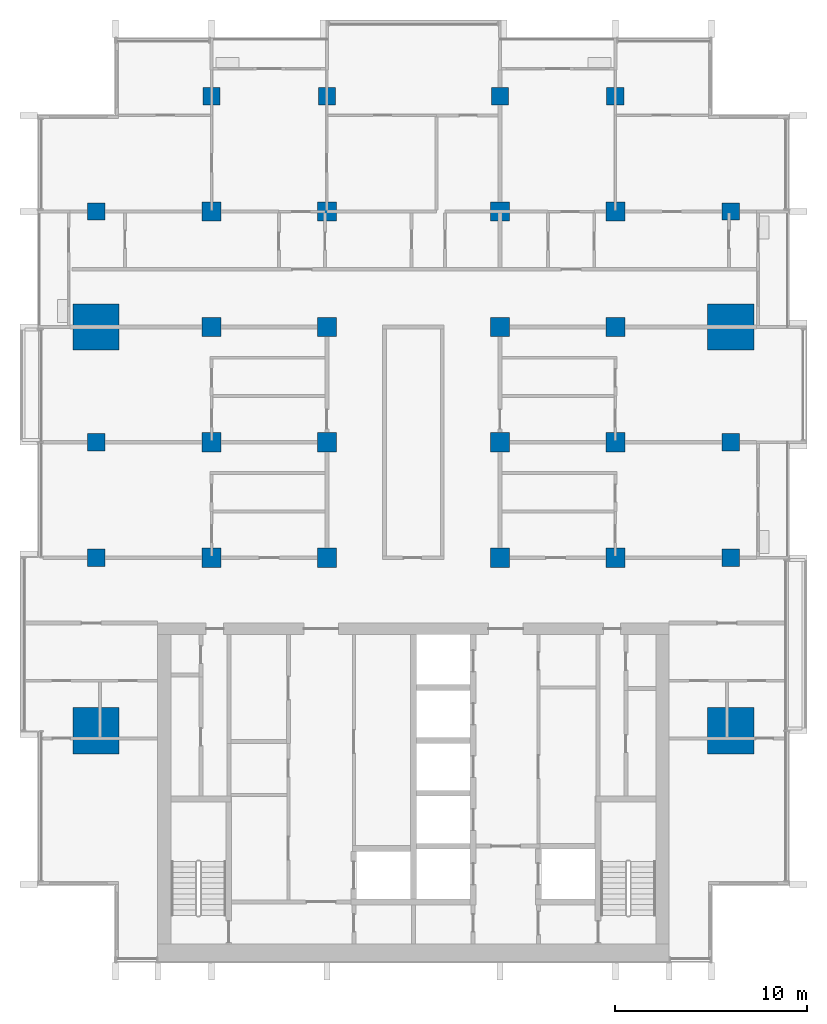
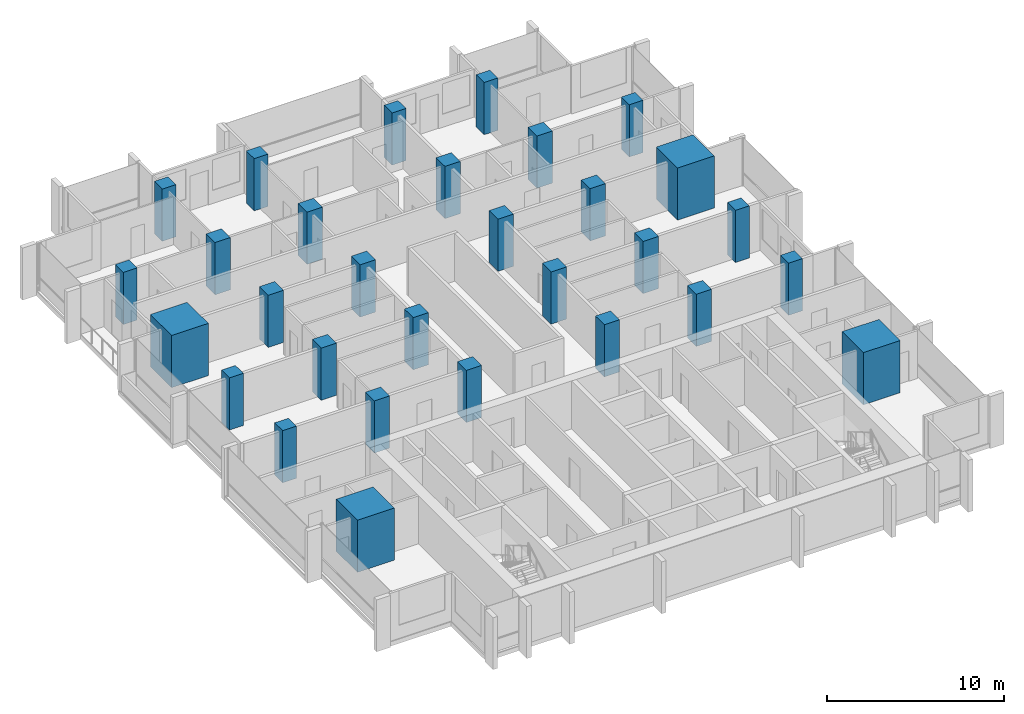
# One storey, part 1 of 17: 30 columns.
"""IFC4 building model written with IfcOpenShell, lengths in metres."""

from ifc_helpers import new_model, si_unit, direction, frame, origin, origin_2d, place, context, subcontext, project, spatial, rectangle, extrude, material, material_profile, profile_set, type_object, element, save


model = new_model("IFC4")

# Units and contexts
model_context = context("Model", 3, precision=1e-05, world=origin(), true_north=direction((0.0, 1.0)))
body_context = subcontext(model_context, "Body", "Model", "MODEL_VIEW")
ifc_project = project(units=[si_unit("LENGTHUNIT", "METRE"), si_unit("AREAUNIT", "SQUARE_METRE"), si_unit("VOLUMEUNIT", "CUBIC_METRE"), si_unit("PLANEANGLEUNIT", "RADIAN"), si_unit("MASSUNIT", "GRAM", prefix="KILO")], contexts=[model_context])

# Site, building, storey
site_placement = place(None, origin())
site = spatial("IfcSite", under=ifc_project, at=site_placement, CompositionType="ELEMENT")
building_placement = place(site_placement, origin())
building = spatial("IfcBuilding", under=site, at=building_placement, Name="Finial Court Residences", CompositionType="ELEMENT")
storey_placement = place(building_placement, frame((0.0, 0.0, 181.699951171875)))
storey = spatial("IfcBuildingStorey", under=building, at=storey_placement, Name="L45", CompositionType="ELEMENT", Elevation=181.699951171875)

# Columns
ifc_material = material(Name="Concrete C60/75", Category="concrete")
ifc_material_profile_1 = material_profile(ifc_material, rectangle(XDim=1.0, YDim=1.0, at=origin_2d()), Name="1000x1000")
ifc_profile_set_1 = profile_set([ifc_material_profile_1], Name="Concrete C60/75")
column_type_1 = type_object("IfcColumnType", Name="Interior column 1000x1000 Concrete C60/75", PredefinedType="COLUMN", material=ifc_profile_set_1)
for number, where, z_axis, x_axis, name in (
    (1, (-10.5, -4.5, 0.0), (0.0, 0.0, 1.0), (1.0, 0.0, 0.0), "S:COL:L45:D4"),
    (2, (-10.5, 1.5, 0.0), (0.0, 0.0, 1.0), (1.0, 0.0, 0.0), "S:COL:L45:D5"),
    (3, (-10.5, 7.5, 0.0), (0.0, 0.0, 1.0), (1.0, 0.0, 0.0), "S:COL:L45:D6"),
    (4, (-10.5, 13.5, 0.0), (0.0, 0.0, 1.0), (1.0, 0.0, 0.0), "S:COL:L45:D7"),
    (5, (-4.5, -4.5, 0.0), (0.0, 0.0, 1.0), (1.0, 0.0, 0.0), "S:COL:L45:E4"),
    (6, (-4.5, 1.5, 0.0), (0.0, 0.0, 1.0), (1.0, 0.0, 0.0), "S:COL:L45:E5"),
    (7, (-4.5, 7.5, 0.0), (0.0, 0.0, 1.0), (1.0, 0.0, 0.0), "S:COL:L45:E6"),
    (8, (-4.5, 13.5, 0.0), (0.0, 0.0, 1.0), (1.0, 0.0, 0.0), "S:COL:L45:E7"),
    (9, (4.5, -4.5, 0.0), (0.0, 0.0, 1.0), (1.0, 0.0, 0.0), "S:COL:L45:F4"),
    (10, (4.5, 1.5, 0.0), (0.0, 0.0, 1.0), (1.0, 0.0, 0.0), "S:COL:L45:F5"),
    (11, (4.5, 7.5, 0.0), (0.0, 0.0, 1.0), (1.0, 0.0, 0.0), "S:COL:L45:F6"),
    (12, (4.5, 13.5, 0.0), (0.0, 0.0, 1.0), (1.0, 0.0, 0.0), "S:COL:L45:F7"),
    (13, (10.5, -4.5, 0.0), (0.0, 0.0, 1.0), (1.0, 0.0, 0.0), "S:COL:L45:G4"),
    (14, (10.5, 1.5, 0.0), (0.0, 0.0, 1.0), (1.0, 0.0, 0.0), "S:COL:L45:G5"),
    (15, (10.5, 7.5, 0.0), (0.0, 0.0, 1.0), (1.0, 0.0, 0.0), "S:COL:L45:G6"),
    (16, (10.5, 13.5, 0.0), (0.0, 0.0, 1.0), (1.0, 0.0, 0.0), "S:COL:L45:G7"),
):
    element("IfcColumn", number, at=place(storey_placement, frame(where, z_axis=z_axis, x_axis=x_axis)), inside=storey, type_object=column_type_1, Name=name, PredefinedType="COLUMN", context=body_context, shape_type="SweptSolid", body=[
        extrude(rectangle(XDim=1.0, YDim=1.0, at=origin_2d()), origin(), (0.0, 0.0, 1.0), 3.60009765625),
    ])
ifc_material_profile_2 = material_profile(ifc_material, rectangle(XDim=2.39990234375, YDim=2.39990234375, at=origin_2d()), Name="2400x2400")
ifc_profile_set_2 = profile_set([ifc_material_profile_2], Name="Concrete C60/75")
column_type_2 = type_object("IfcColumnType", Name="Mega column 2400x2400 Concrete C60/75", PredefinedType="COLUMN", material=ifc_profile_set_2)
for number, where, z_axis, x_axis, name in (
    (17, (-16.5, -13.5, 0.0), (0.0, 0.0, 1.0), (1.0, 0.0, 0.0), "S:COL:L45:C3"),
    (18, (-16.5, 7.5, 0.0), (0.0, 0.0, 1.0), (1.0, 0.0, 0.0), "S:COL:L45:C6"),
    (19, (16.5, -13.5, 0.0), (0.0, 0.0, 1.0), (1.0, 0.0, 0.0), "S:COL:L45:H3"),
    (20, (16.5, 7.5, 0.0), (0.0, 0.0, 1.0), (1.0, 0.0, 0.0), "S:COL:L45:H6"),
):
    element("IfcColumn", number, at=place(storey_placement, frame(where, z_axis=z_axis, x_axis=x_axis)), inside=storey, type_object=column_type_2, Name=name, PredefinedType="COLUMN", context=body_context, shape_type="SweptSolid", body=[
        extrude(rectangle(XDim=2.39990234375, YDim=2.39990234375, at=origin_2d()), origin(), (0.0, 0.0, 1.0), 3.60009765625),
    ])
ifc_material_profile_3 = material_profile(ifc_material, rectangle(XDim=0.89990234375, YDim=0.89990234375, at=origin_2d()), Name="900x900")
ifc_profile_set_3 = profile_set([ifc_material_profile_3], Name="Concrete C60/75")
column_type_3 = type_object("IfcColumnType", Name="Perimeter column 900x900 Concrete C60/75", PredefinedType="COLUMN", material=ifc_profile_set_3)
for number, where, z_axis, x_axis, name in (
    (21, (-16.5, -4.5, 0.0), (0.0, 0.0, 1.0), (1.0, 0.0, 0.0), "S:COL:L45:C4"),
    (22, (-16.5, 1.5, 0.0), (0.0, 0.0, 1.0), (1.0, 0.0, 0.0), "S:COL:L45:C5"),
    (23, (-16.5, 13.5, 0.0), (0.0, 0.0, 1.0), (1.0, 0.0, 0.0), "S:COL:L45:C7"),
    (24, (-10.5, 19.5, 0.0), (0.0, 0.0, 1.0), (1.0, 0.0, 0.0), "S:COL:L45:D8"),
    (25, (-4.5, 19.5, 0.0), (0.0, 0.0, 1.0), (1.0, 0.0, 0.0), "S:COL:L45:E8"),
    (26, (4.5, 19.5, 0.0), (0.0, 0.0, 1.0), (1.0, 0.0, 0.0), "S:COL:L45:F8"),
    (27, (10.5, 19.5, 0.0), (0.0, 0.0, 1.0), (1.0, 0.0, 0.0), "S:COL:L45:G8"),
    (28, (16.5, -4.5, 0.0), (0.0, 0.0, 1.0), (1.0, 0.0, 0.0), "S:COL:L45:H4"),
    (29, (16.5, 1.5, 0.0), (0.0, 0.0, 1.0), (1.0, 0.0, 0.0), "S:COL:L45:H5"),
    (30, (16.5, 13.5, 0.0), (0.0, 0.0, 1.0), (1.0, 0.0, 0.0), "S:COL:L45:H7"),
):
    element("IfcColumn", number, at=place(storey_placement, frame(where, z_axis=z_axis, x_axis=x_axis)), inside=storey, type_object=column_type_3, Name=name, PredefinedType="COLUMN", context=body_context, shape_type="SweptSolid", body=[
        extrude(rectangle(XDim=0.89990234375, YDim=0.89990234375, at=origin_2d()), origin(), (0.0, 0.0, 1.0), 3.60009765625),
    ])

save(model, "model.ifc")
